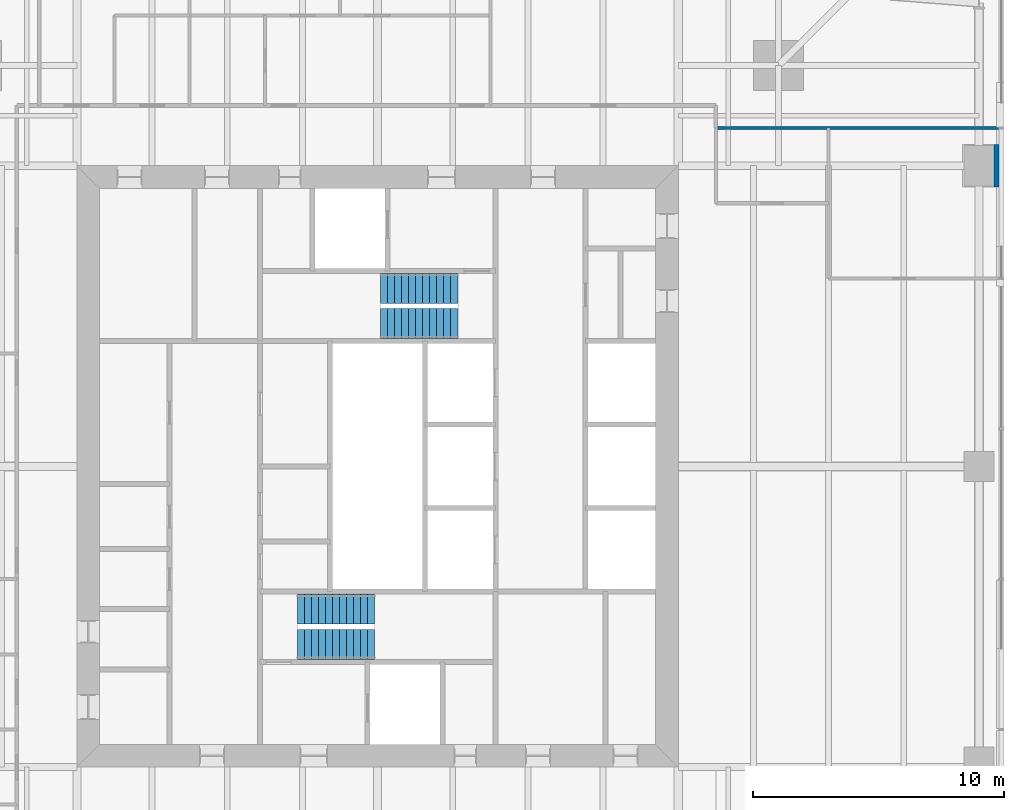
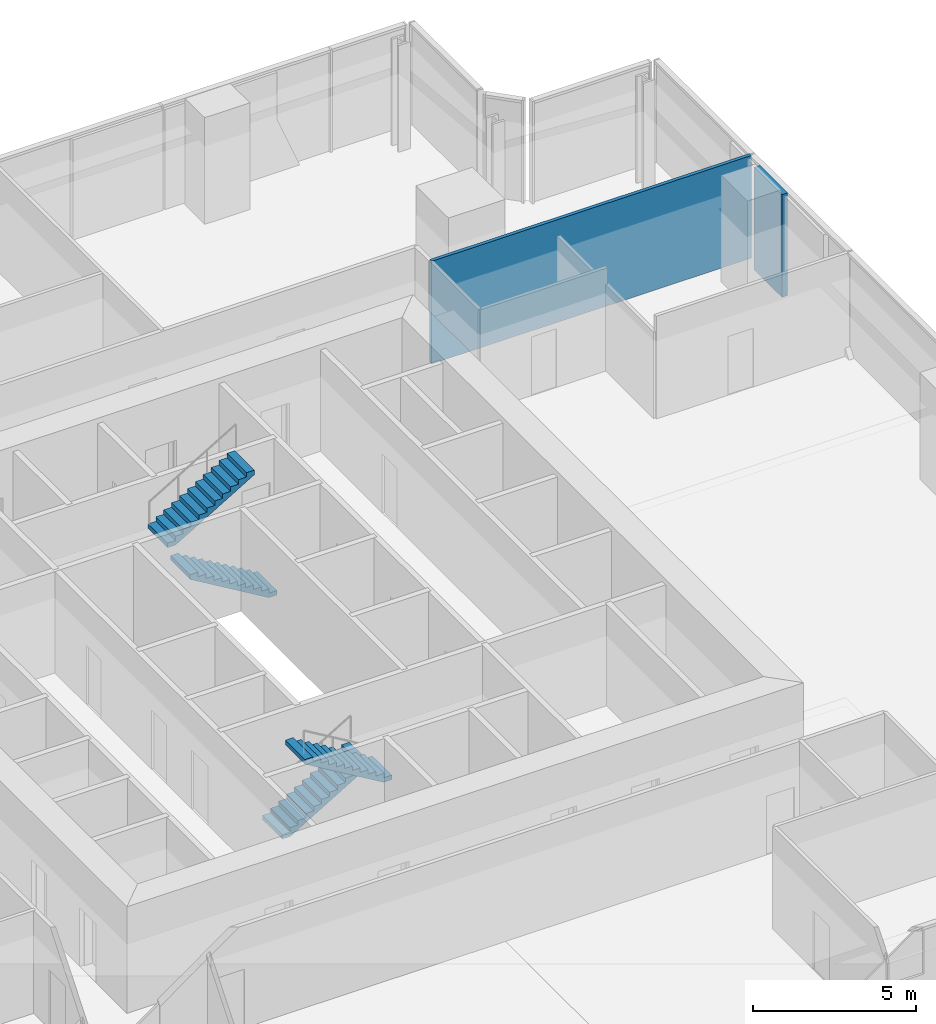
# One storey, part 12 of 14: 4 stair flights, 2 walls, 2 elements without a shape of their own.
"""IFC4 building model written with IfcOpenShell, lengths in metres."""

from ifc_helpers import new_model, si_unit, direction, frame, frame_2d, origin, place, context, subcontext, project, spatial, polyline, rectangle, outline, extrude, material, layer, layer_set, type_object, element, aggregate, save


model = new_model("IFC4")

# Units and contexts
model_context = context("Model", 3, precision=1e-05, world=origin(), true_north=direction((0.0, 1.0)))
body_context = subcontext(model_context, "Body", "Model", "MODEL_VIEW")
ifc_project = project(units=[si_unit("LENGTHUNIT", "METRE"), si_unit("AREAUNIT", "SQUARE_METRE"), si_unit("VOLUMEUNIT", "CUBIC_METRE"), si_unit("PLANEANGLEUNIT", "RADIAN"), si_unit("MASSUNIT", "GRAM", prefix="KILO")], contexts=[model_context])

# Site, building, storey
site_placement = place(None, origin())
site = spatial("IfcSite", under=ifc_project, at=site_placement, CompositionType="ELEMENT")
building_placement = place(site_placement, origin())
building = spatial("IfcBuilding", under=site, at=building_placement, Name="Fenwick Lantern Interchange", CompositionType="ELEMENT")
storey_placement = place(building_placement, frame((0.0, 0.0, 197.800048828125)))
storey = spatial("IfcBuildingStorey", under=building, at=storey_placement, Name="L46", CompositionType="ELEMENT", Elevation=197.800048828125)

# Walls
ifc_material_1 = material(Name="Fire-rated gypsum board encasement on steel studs, 2 hour", Category="steel")
ifc_layer_1 = layer(ifc_material_1, 1.699951171875)
ifc_layer_set_1 = layer_set([ifc_layer_1], Name="COLUMN PIER 1700")
wall_type_1 = type_object("IfcWallType", Name="COLUMN PIER 1700", PredefinedType="PARTITIONING", material=ifc_layer_set_1)
wall_1_placement = place(storey_placement, frame((49.800048828125, 37.0, 0.0), z_axis=(0.0, 0.0, 1.0), x_axis=(-1.0, 0.0, 0.0)))
element("IfcWall", 1, at=wall_1_placement, inside=storey, type_object=wall_type_1, Name="L46/W/PIER/CE4", PredefinedType="PARTITIONING", context=body_context, shape_type="SweptSolid", body=[
    extrude(rectangle(XDim=0.199951171875, YDim=1.699951171875, at=frame_2d((0.10009765625, 0.0))), origin(), (0.0, 0.0, 1.0), 3.849853515625),
])
ifc_material_2 = material(Name="Gypsum board on steel studs, acoustic", Category="steel")
ifc_layer_2 = layer(ifc_material_2, 0.125)
ifc_layer_set_2 = layer_set([ifc_layer_2], Name="OFFICE PARTITION 125")
wall_type_2 = type_object("IfcWallType", Name="OFFICE PARTITION 125", PredefinedType="PARTITIONING", material=ifc_layer_set_2)
wall_2_placement = place(storey_placement, frame((49.85009765625, 38.5, 0.0), z_axis=(0.0, 0.0, 1.0), x_axis=(-1.0, 0.0, 0.0)))
element("IfcWall", 2, at=wall_2_placement, inside=storey, type_object=wall_type_2, Name="L46/W/OFF/N/BACK", PredefinedType="PARTITIONING", context=body_context, shape_type="SweptSolid", body=[
    extrude(rectangle(XDim=11.35009765625, YDim=0.125, at=frame_2d((5.675048828125, 0.0))), origin(), (0.0, 0.0, 1.0), 3.849853515625),
])

# Stair, stair flights
ifc_material_3 = material(Name="Precast concrete f'c 35 MPa", Category="concrete")
stair_type = type_object("IfcStairType", Name="EXIT STAIR 1200", PredefinedType="HALF_TURN_STAIR", material=ifc_material_3)
stair_1_placement = place(storey_placement, origin())
stair_1 = element("IfcStair", 3, at=stair_1_placement, inside=storey, type_object=stair_type, Name="Exit stair ST1", PredefinedType="HALF_TURN_STAIR")
stair_flight_type = type_object("IfcStairFlightType", Name="STAIR FLIGHT 1200", PredefinedType="STRAIGHT", material=ifc_material_3)
stair_flight_1_placement = place(storey_placement, frame((21.800048828125, 19.300048828125, 0.0), z_axis=(0.0, 0.0, 1.0), x_axis=(1.0, 0.0, 0.0)))
stair_flight_1 = element("IfcStairFlight", 4, at=stair_flight_1_placement, type_object=stair_flight_type, Name="ST1 flight 1", NumberOfRisers=12, NumberOfTreads=11, PredefinedType="STRAIGHT", RiserHeight=0.166666667, TreadLength=0.28, context=body_context, shape_type="SweptSolid", body=[
    extrude(outline(polyline([(0.0, 0.0), (0.0, 0.166748046875), (0.280029296875, 0.166748046875), (0.280029296875, 0.333251953125), (0.56005859375, 0.333251953125), (0.56005859375, 0.5), (0.840087890625, 0.5), (0.840087890625, 0.666748046875), (1.1201171875, 0.666748046875), (1.1201171875, 0.833251953125), (1.39990234375, 0.833251953125), (1.39990234375, 1.0), (1.679931640625, 1.0), (1.679931640625, 1.166748046875), (1.9599609375, 1.166748046875), (1.9599609375, 1.333251953125), (2.239990234375, 1.333251953125), (2.239990234375, 1.5), (2.52001953125, 1.5), (2.52001953125, 1.666748046875), (2.800048828125, 1.666748046875), (2.800048828125, 1.833251953125), (3.080078125, 1.833251953125), (3.080078125, 2.0), (3.080078125, 1.658935546875), (0.29296875, 0.0), (0.0, 0.0)])), frame((0.0, 0.60009765625, 0.0), z_axis=(0.0, -1.0, 0.0), x_axis=(1.0, 0.0, 0.0)), (0.0, 0.0, 1.0), 1.199951171875),
])
stair_flight_2_placement = place(storey_placement, frame((24.8798828125, 17.89990234375, 2.0), z_axis=(0.0, 0.0, 1.0), x_axis=(-1.0, 0.0, 0.0)))
stair_flight_2 = element("IfcStairFlight", 5, at=stair_flight_2_placement, type_object=stair_flight_type, Name="ST1 flight 2", NumberOfRisers=12, NumberOfTreads=11, PredefinedType="STRAIGHT", RiserHeight=0.166666667, TreadLength=0.28, context=body_context, shape_type="SweptSolid", body=[
    extrude(outline(polyline([(0.0, 0.0), (0.0, 0.166748046875), (0.280029296875, 0.166748046875), (0.280029296875, 0.333251953125), (0.56005859375, 0.333251953125), (0.56005859375, 0.5), (0.840087890625, 0.5), (0.840087890625, 0.666748046875), (1.1201171875, 0.666748046875), (1.1201171875, 0.833251953125), (1.39990234375, 0.833251953125), (1.39990234375, 1.0), (1.679931640625, 1.0), (1.679931640625, 1.166748046875), (1.9599609375, 1.166748046875), (1.9599609375, 1.333251953125), (2.239990234375, 1.333251953125), (2.239990234375, 1.5), (2.52001953125, 1.5), (2.52001953125, 1.666748046875), (2.800048828125, 1.666748046875), (2.800048828125, 1.833251953125), (3.080078125, 1.833251953125), (3.080078125, 2.0), (3.080078125, 1.658935546875), (0.29296875, 0.0), (0.0, 0.0)])), frame((0.0, 0.60009765625, 0.0), z_axis=(0.0, -1.0, 0.0), x_axis=(1.0, 0.0, 0.0)), (0.0, 0.0, 1.0), 1.199951171875),
])
aggregate(stair_1, [stair_flight_1, stair_flight_2])

stair_2_placement = place(storey_placement, origin())
stair_2 = element("IfcStair", 6, at=stair_2_placement, inside=storey, type_object=stair_type, Name="Exit stair ST2", PredefinedType="HALF_TURN_STAIR")
stair_flight_3_placement = place(storey_placement, frame((28.199951171875, 30.699951171875, 0.0), z_axis=(0.0, 0.0, 1.0), x_axis=(-1.0, 0.0, 0.0)))
stair_flight_3 = element("IfcStairFlight", 7, at=stair_flight_3_placement, type_object=stair_flight_type, Name="ST2 flight 1", NumberOfRisers=12, NumberOfTreads=11, PredefinedType="STRAIGHT", RiserHeight=0.166666667, TreadLength=0.28, context=body_context, shape_type="SweptSolid", body=[
    extrude(outline(polyline([(0.0, 0.0), (0.0, 0.166748046875), (0.280029296875, 0.166748046875), (0.280029296875, 0.333251953125), (0.56005859375, 0.333251953125), (0.56005859375, 0.5), (0.840087890625, 0.5), (0.840087890625, 0.666748046875), (1.1201171875, 0.666748046875), (1.1201171875, 0.833251953125), (1.39990234375, 0.833251953125), (1.39990234375, 1.0), (1.679931640625, 1.0), (1.679931640625, 1.166748046875), (1.9599609375, 1.166748046875), (1.9599609375, 1.333251953125), (2.239990234375, 1.333251953125), (2.239990234375, 1.5), (2.52001953125, 1.5), (2.52001953125, 1.666748046875), (2.800048828125, 1.666748046875), (2.800048828125, 1.833251953125), (3.080078125, 1.833251953125), (3.080078125, 2.0), (3.080078125, 1.658935546875), (0.29296875, 0.0), (0.0, 0.0)])), frame((0.0, 0.60009765625, 0.0), z_axis=(0.0, -1.0, 0.0), x_axis=(1.0, 0.0, 0.0)), (0.0, 0.0, 1.0), 1.199951171875),
])
stair_flight_4_placement = place(storey_placement, frame((25.1201171875, 32.10009765625, 2.0), z_axis=(0.0, 0.0, 1.0), x_axis=(1.0, 0.0, 0.0)))
stair_flight_4 = element("IfcStairFlight", 8, at=stair_flight_4_placement, type_object=stair_flight_type, Name="ST2 flight 2", NumberOfRisers=12, NumberOfTreads=11, PredefinedType="STRAIGHT", RiserHeight=0.166666667, TreadLength=0.28, context=body_context, shape_type="SweptSolid", body=[
    extrude(outline(polyline([(0.0, 0.0), (0.0, 0.166748046875), (0.280029296875, 0.166748046875), (0.280029296875, 0.333251953125), (0.56005859375, 0.333251953125), (0.56005859375, 0.5), (0.840087890625, 0.5), (0.840087890625, 0.666748046875), (1.1201171875, 0.666748046875), (1.1201171875, 0.833251953125), (1.39990234375, 0.833251953125), (1.39990234375, 1.0), (1.679931640625, 1.0), (1.679931640625, 1.166748046875), (1.9599609375, 1.166748046875), (1.9599609375, 1.333251953125), (2.239990234375, 1.333251953125), (2.239990234375, 1.5), (2.52001953125, 1.5), (2.52001953125, 1.666748046875), (2.800048828125, 1.666748046875), (2.800048828125, 1.833251953125), (3.080078125, 1.833251953125), (3.080078125, 2.0), (3.080078125, 1.658935546875), (0.29296875, 0.0), (0.0, 0.0)])), frame((0.0, 0.60009765625, 0.0), z_axis=(0.0, -1.0, 0.0), x_axis=(1.0, 0.0, 0.0)), (0.0, 0.0, 1.0), 1.199951171875),
])
aggregate(stair_2, [stair_flight_3, stair_flight_4])

save(model, "model.ifc")
